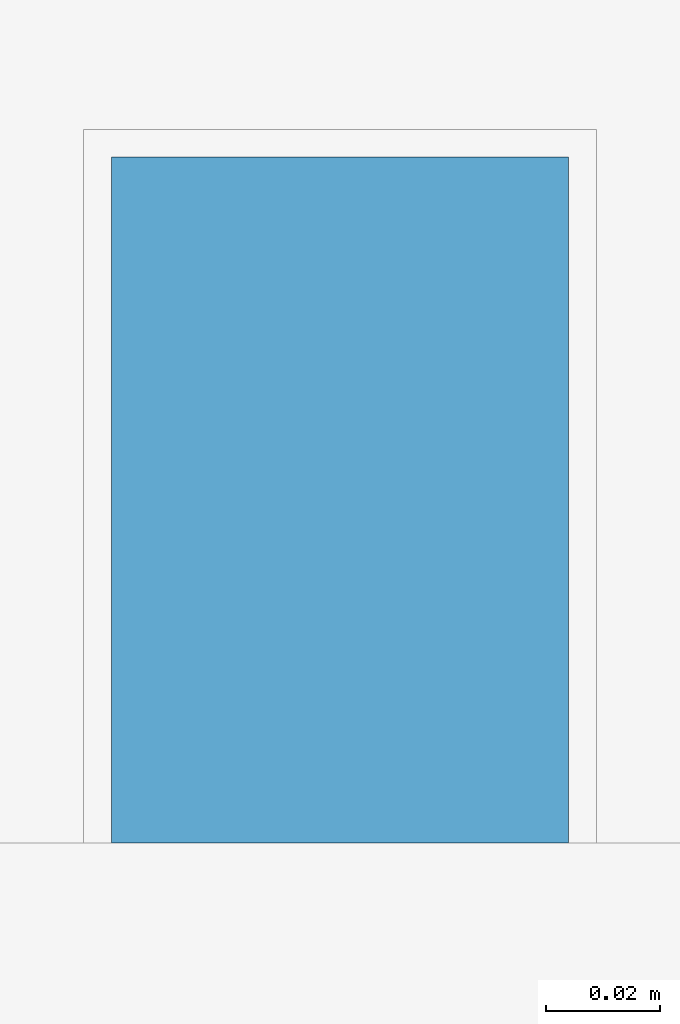
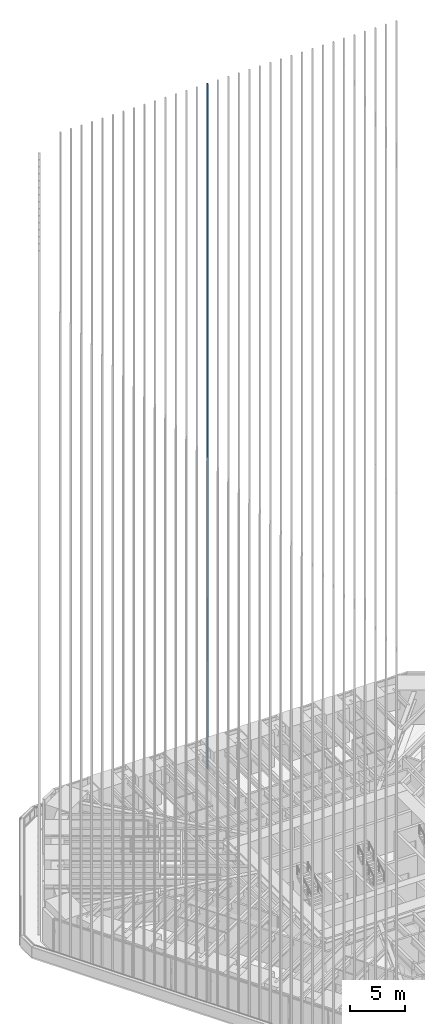
# One storey, part 171 of 238: 1 member, 1 element without a shape of its own.
"""IFC4 building model written with IfcOpenShell, lengths in metres."""

from ifc_helpers import new_model, si_unit, direction, frame, origin, origin_2d, place, context, subcontext, project, spatial, rectangle, extrude, material, material_profile, profile_set, type_object, element, aggregate, save


model = new_model("IFC4")

# Units and contexts
model_context = context("Model", 3, precision=1e-05, world=origin(), true_north=direction((0.0, 1.0)))
body_context = subcontext(model_context, "Body", "Model", "MODEL_VIEW")
ifc_project = project(units=[si_unit("LENGTHUNIT", "METRE"), si_unit("AREAUNIT", "SQUARE_METRE"), si_unit("VOLUMEUNIT", "CUBIC_METRE"), si_unit("PLANEANGLEUNIT", "RADIAN"), si_unit("MASSUNIT", "GRAM", prefix="KILO")], contexts=[model_context])

# Site, building, storey
site_placement = place(None, origin())
site = spatial("IfcSite", under=ifc_project, at=site_placement, CompositionType="ELEMENT")
building_placement = place(site_placement, origin())
building = spatial("IfcBuilding", under=site, at=building_placement, Name="Sandreach Pilgrim Tower", CompositionType="ELEMENT")
storey_placement = place(building_placement, frame((0.0, 0.0, 96.800048828125)))
storey = spatial("IfcBuildingStorey", under=building, at=storey_placement, Name="L23", CompositionType="ELEMENT", Elevation=96.800048828125)

# Curtain wall, member
ifc_material_1 = material(Name="Aluminium framed curtain wall", Category="aluminium")
curtain_wall_type = type_object("IfcCurtainWallType", Name="Hotel tower curtain wall", PredefinedType="NOTDEFINED", material=ifc_material_1)
curtain_wall_placement = place(storey_placement, origin())
curtain_wall = element("IfcCurtainWall", 1, at=curtain_wall_placement, inside=storey, type_object=curtain_wall_type, Name="CW-2 L23 N", PredefinedType="NOTDEFINED")
ifc_material_2 = material(Name="Extruded terracotta on aluminium core", Category="masonry")
ifc_material_profile = material_profile(ifc_material_2, rectangle(XDim=0.080078125, YDim=0.1201171875, at=origin_2d()), Name="TBN 80X120")
ifc_profile_set = profile_set([ifc_material_profile], Name="Extruded terracotta on aluminium core")
member_type = type_object("IfcMemberType", Name="Terracotta baguette north", PredefinedType="USERDEFINED", material=ifc_profile_set)
member_placement = place(storey_placement, frame((-2.19873046875, 22.853759765625, 0.0), z_axis=(0.0, 0.0, 1.0), x_axis=(1.0, 0.0, 0.0)))
member = element("IfcMember", 2, at=member_placement, type_object=member_type, Name="Baguette Z2 N15", ObjectType="BAGUETTE", PredefinedType="USERDEFINED", context=body_context, shape_type="SweptSolid", body=[
    extrude(rectangle(XDim=0.080078125, YDim=0.1201171875, at=origin_2d()), origin(), (0.0, 0.0, 1.0), 75.83984375),
])
aggregate(curtain_wall, [member])

save(model, "model.ifc")
